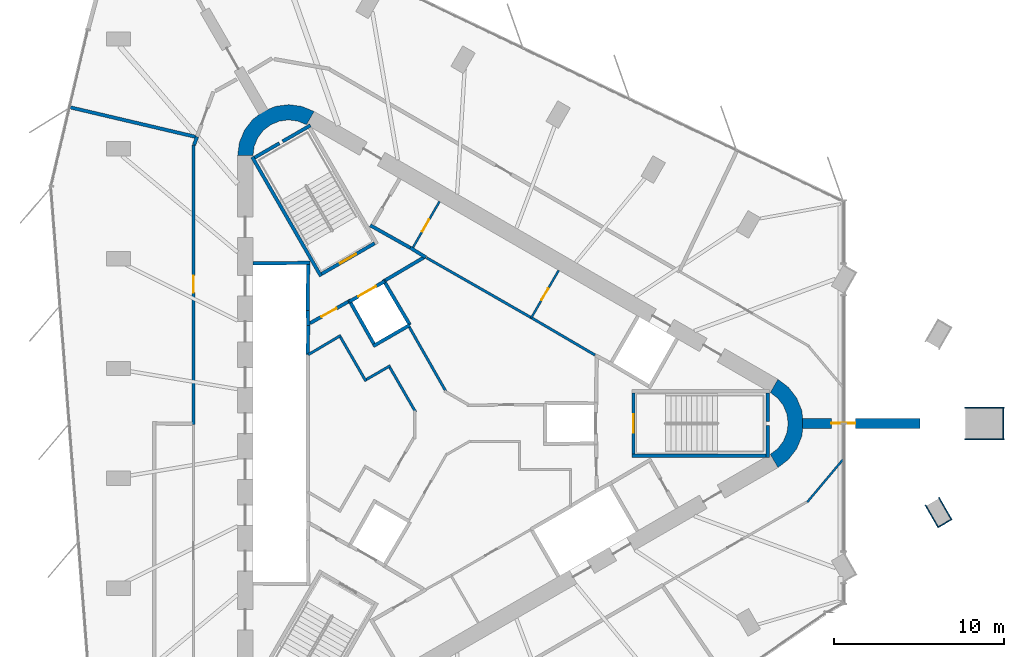
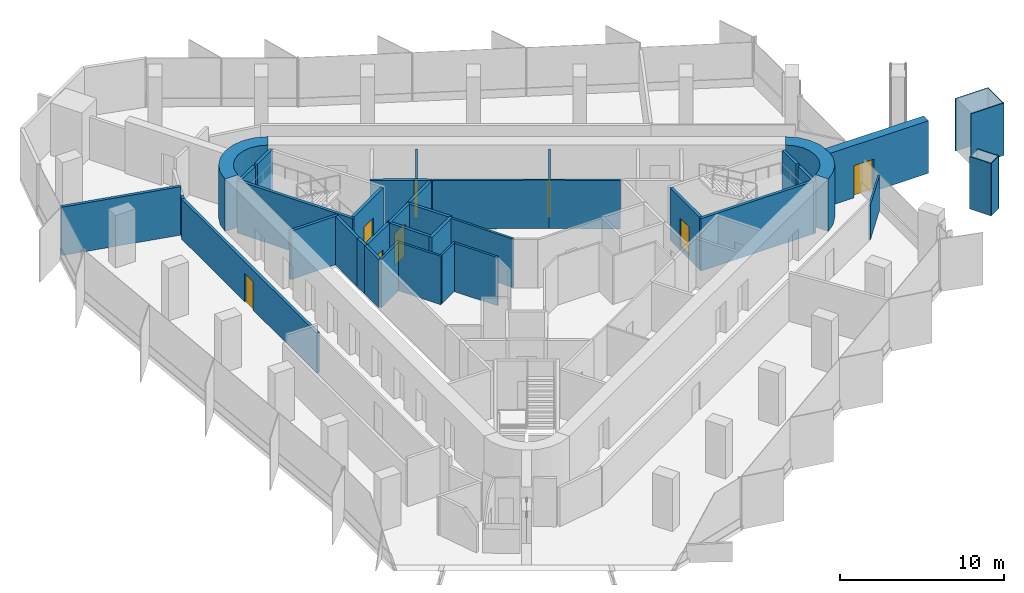
# One storey, part 9 of 12: 42 walls, 8 doors, 8 openings.
"""IFC4 building model written with IfcOpenShell, lengths in metres."""

from ifc_helpers import new_model, si_unit, direction, frame, frame_2d, origin, place, context, subcontext, project, spatial, polyline, rectangle, outline, extrude, material, layer, layer_set, type_object, element, fill, save


model = new_model("IFC4")

# Units and contexts
model_context = context("Model", 3, precision=1e-05, world=origin(), true_north=direction((0.0, 1.0)))
body_context = subcontext(model_context, "Body", "Model", "MODEL_VIEW")
ifc_project = project(units=[si_unit("LENGTHUNIT", "METRE"), si_unit("AREAUNIT", "SQUARE_METRE"), si_unit("VOLUMEUNIT", "CUBIC_METRE"), si_unit("PLANEANGLEUNIT", "RADIAN"), si_unit("MASSUNIT", "GRAM", prefix="KILO")], contexts=[model_context])

# Site, building, storey
site_placement = place(None, origin())
site = spatial("IfcSite", under=ifc_project, at=site_placement, CompositionType="ELEMENT")
building_placement = place(site_placement, origin())
building = spatial("IfcBuilding", under=site, at=building_placement, Name="Tanit Gate Tower", CompositionType="ELEMENT")
storey_placement = place(building_placement, frame((0.0, 0.0, 368.89990234375)))
storey = spatial("IfcBuildingStorey", under=building, at=storey_placement, Name="L84", CompositionType="ELEMENT", Elevation=368.89990234375)

# Wall, opening, door
ifc_material_1 = material(Name="Concrete C40/50", Category="concrete")
ifc_layer_1 = layer(ifc_material_1, 0.60009765625)
ifc_layer_set_1 = layer_set([ifc_layer_1], Name="BUTTRESS FIN 600 C40/50")
wall_type_1 = type_object("IfcWallType", Name="BUTTRESS FIN 600 C40/50", PredefinedType="SHEAR", material=ifc_layer_set_1)
wall_1_placement = place(storey_placement, frame((21.14990234375, 0.0, 0.0), z_axis=(0.0, 0.0, 1.0), x_axis=(1.0, 0.0, 0.0)))
wall_1 = element("IfcWall", 1, at=wall_1_placement, inside=storey, type_object=wall_type_1, Name="BUTTRESS FIN", PredefinedType="SHEAR", context=body_context, shape_type="SweptSolid", body=[
    extrude(rectangle(XDim=6.92138671875, YDim=0.60009765625, at=frame_2d((3.460693359375, 0.0))), origin(), (0.0, 0.0, 1.0), 3.900146484375),
])
opening_1_placement = place(wall_1_placement, frame((1.699951171875, 0.0, 0.0)))
opening_1 = element("IfcOpeningElement", 2, at=opening_1_placement, cuts=wall_1, Name="Opening P14-84-F-E-1", PredefinedType="OPENING", context=body_context, shape_type="SweptSolid", body=[
    extrude(rectangle(XDim=1.39990234375, YDim=2.39990234375, at=frame_2d((0.699951171875, 1.199951171875))), frame((0.0, 0.31005859375, 0.0), z_axis=(0.0, -1.0, 0.0), x_axis=(1.0, 0.0, 0.0)), (0.0, 0.0, 1.0), 0.6201171875),
])
ifc_material_2 = material(Name="Timber door leaf", Category="wood")
door_type_1 = type_object("IfcDoorType", Name="INT-DOOR-FIN-PAIR-1400", OperationType="NOTDEFINED", PredefinedType="NOTDEFINED", material=ifc_material_2)
door_1_placement = place(opening_1_placement, origin())
door_1 = element("IfcDoor", 3, at=door_1_placement, inside=storey, type_object=door_type_1, Name="Door P14-84-F-E-1", OperationType="DOUBLE_DOOR_SINGLE_SWING", OverallHeight=2.39990234375, OverallWidth=1.39990234375, PredefinedType="NOTDEFINED", context=body_context, shape_type="SweptSolid", body=[
    extrude(rectangle(XDim=1.39990234375, YDim=2.39990234375, at=frame_2d((0.699951171875, 1.199951171875))), frame((0.0, 0.02490234375, 0.0), z_axis=(0.0, -1.0, 0.0), x_axis=(1.0, 0.0, 0.0)), (0.0, 0.0, 1.0), 0.050048828125),
])
fill(opening_1, door_1)

# Walls
ifc_material_3 = material(Name="Concrete C40/50", Category="concrete")
ifc_layer_2 = layer(ifc_material_3, 0.89990234375)
ifc_layer_set_2 = layer_set([ifc_layer_2], Name="CORE WALL 900 C40/50")
wall_type_2 = type_object("IfcWallType", Name="CORE WALL 900 C40/50", PredefinedType="SHEAR", material=ifc_layer_set_2)
wall_2_placement = place(storey_placement, origin())
element("IfcWall", 4, at=wall_2_placement, inside=storey, type_object=wall_type_2, Name="CORE WALL CORNER", PredefinedType="SHEAR", context=body_context, shape_type="SweptSolid", body=[
    extrude(outline(polyline([(-7.60009765625, 18.359619140625), (-8.323486328125, 18.659423828125), (-9.10009765625, 18.76171875), (-9.87646484375, 18.659423828125), (-10.60009765625, 18.359619140625), (-11.22119140625, 17.883056640625), (-11.697998046875, 17.26171875), (-11.997802734375, 16.5380859375), (-12.10009765625, 15.76171875), (-11.199951171875, 15.76171875), (-11.12841796875, 16.30517578125), (-10.918701171875, 16.811767578125), (-10.5849609375, 17.24658203125), (-10.14990234375, 17.580322265625), (-9.6435546875, 17.7900390625), (-9.10009765625, 17.86181640625), (-8.556396484375, 17.7900390625), (-8.050048828125, 17.580322265625), (-7.60009765625, 18.359619140625)])), origin(), (0.0, 0.0, 1.0), 3.900146484375),
])
wall_3_placement = place(storey_placement, origin())
element("IfcWall", 5, at=wall_3_placement, inside=storey, type_object=wall_type_2, Name="CORE WALL CORNER", PredefinedType="SHEAR", context=body_context, shape_type="SweptSolid", body=[
    extrude(outline(polyline([(19.699951171875, -2.59814453125), (20.3212890625, -2.121337890625), (20.798095703125, -1.5), (21.097900390625, -0.776611328125), (21.199951171875, 0.0), (21.097900390625, 0.776611328125), (20.798095703125, 1.5), (20.3212890625, 2.121337890625), (19.699951171875, 2.59814453125), (19.25, 1.818603515625), (19.684814453125, 1.48486328125), (20.018798828125, 1.050048828125), (20.228515625, 0.54345703125), (20.300048828125, 0.0), (20.228515625, -0.54345703125), (20.018798828125, -1.050048828125), (19.684814453125, -1.48486328125), (19.25, -1.818603515625), (19.699951171875, -2.59814453125)])), origin(), (0.0, 0.0, 1.0), 3.900146484375),
])
ifc_material_4 = material(Name="Bronze anodised aluminium cladding", Category="aluminium")
ifc_layer_3 = layer(ifc_material_4, 0.06005859375)
ifc_layer_set_3 = layer_set([ifc_layer_3], Name="Column casing bronze 60")
wall_type_3 = type_object("IfcWallType", Name="Column casing bronze 60", PredefinedType="SOLIDWALL", material=ifc_layer_set_3)
for number, where, z_axis, x_axis, name in (
    (6, (30.68359375, 0.929931640625, 0.0), (0.0, 0.0, 1.0), (1.0, 0.0, 0.0), "Column casing L84 M-E.L1"),
    (7, (30.68359375, -0.929931640625, 0.0), (0.0, 0.0, 1.0), (1.0, 0.0, 0.0), "Column casing L84 M-E.L2"),
):
    element("IfcWall", number, at=place(storey_placement, frame(where, z_axis=z_axis, x_axis=x_axis)), inside=storey, type_object=wall_type_3, Name=name, PredefinedType="SOLIDWALL", context=body_context, shape_type="SweptSolid", body=[
        extrude(rectangle(XDim=2.320068359375, YDim=0.06005859375, at=frame_2d((1.16015625, 0.0))), origin(), (0.0, 0.0, 1.0), 3.900146484375),
    ])
wall_4_placement = place(storey_placement, frame((32.9736328125, -0.89990234375, 0.0), z_axis=(0.0, 0.0, 1.0), x_axis=(0.0, 1.0, 0.0)))
element("IfcWall", 8, at=wall_4_placement, inside=storey, type_object=wall_type_3, Name="Column casing L84 M-E.S1", PredefinedType="SOLIDWALL", context=body_context, shape_type="SweptSolid", body=[
    extrude(rectangle(XDim=1.7998046875, YDim=0.06005859375, at=frame_2d((0.89990234375, 0.0))), origin(), (0.0, 0.0, 1.0), 3.900146484375),
])
wall_5_placement = place(storey_placement, frame((29.16650390625, -4.36083984375, 0.0), z_axis=(0.0, 0.0, 1.0), x_axis=(0.499991248344, -0.866030456496, 0.0)))
element("IfcWall", 9, at=wall_5_placement, inside=storey, type_object=wall_type_3, Name="Column casing L84 P-SE8.L1", PredefinedType="SOLIDWALL", context=body_context, shape_type="SweptSolid", body=[
    extrude(rectangle(XDim=1.52001953125, YDim=0.06005859375, at=frame_2d((0.760009765625, 0.0))), origin(), (0.0, 0.0, 1.0), 3.900146484375),
])
wall_6_placement = place(storey_placement, frame((28.378662109375, -4.81591796875, 0.0), z_axis=(0.0, 0.0, 1.0), x_axis=(0.500060803479, -0.865990296034, 0.0)))
element("IfcWall", 10, at=wall_6_placement, inside=storey, type_object=wall_type_3, Name="Column casing L84 P-SE8.L2", PredefinedType="SOLIDWALL", context=body_context, shape_type="SweptSolid", body=[
    extrude(rectangle(XDim=1.519775390625, YDim=0.06005859375, at=frame_2d((0.759765625, 0.0))), origin(), (0.0, 0.0, 1.0), 3.900146484375),
])
wall_7_placement = place(storey_placement, frame((29.1494140625, -6.09130859375, 0.0), z_axis=(0.0, 0.0, 1.0), x_axis=(0.866061263272, 0.499937884402, 0.0)))
element("IfcWall", 11, at=wall_7_placement, inside=storey, type_object=wall_type_3, Name="Column casing L84 P-SE8.S1", PredefinedType="SOLIDWALL", context=body_context, shape_type="SweptSolid", body=[
    extrude(rectangle(XDim=0.85009765625, YDim=0.06005859375, at=frame_2d((0.425048828125, 0.0))), origin(), (0.0, 0.0, 1.0), 3.900146484375),
])
ifc_material_5 = material(Name="Fire-rated gypsum board partition")
ifc_layer_4 = layer(ifc_material_5, 0.199951171875)
ifc_layer_set_4 = layer_set([ifc_layer_4], Name="INT-WALL-COMPARTMENT")
wall_type_4 = type_object("IfcWallType", Name="INT-WALL-COMPARTMENT", PredefinedType="PARTITIONING", material=ifc_layer_set_4)
wall_8_placement = place(storey_placement, frame((-1.940673828125, 10.338623046875, 0.0), z_axis=(0.0, 0.0, 1.0), x_axis=(0.850216889117, -0.526432561171, 0.0)))
element("IfcWall", 12, at=wall_8_placement, inside=storey, type_object=wall_type_4, Name="Wall Compartment W051", PredefinedType="PARTITIONING", context=body_context, shape_type="SweptSolid", body=[
    extrude(rectangle(XDim=1.078369140625, YDim=0.199951171875, at=frame_2d((0.5390625, 0.0))), origin(), (0.0, 0.0, 1.0), 3.60009765625),
])
wall_9_placement = place(storey_placement, frame((-4.296142578125, 11.658935546875, 0.0), z_axis=(0.0, 0.0, 1.0), x_axis=(0.871534483978, -0.490334215854, 0.0)))
element("IfcWall", 13, at=wall_9_placement, inside=storey, type_object=wall_type_4, Name="Wall Compartment W053", PredefinedType="PARTITIONING", context=body_context, shape_type="SweptSolid", body=[
    extrude(rectangle(XDim=2.7001953125, YDim=0.199951171875, at=frame_2d((1.35009765625, 0.0))), origin(), (0.0, 0.0, 1.0), 3.60009765625),
])
wall_10_placement = place(storey_placement, frame((-1.0546875, 9.818359375, 0.0), z_axis=(0.0, 0.0, 1.0), x_axis=(-0.860614334655, -0.50925726994, 0.0)))
element("IfcWall", 14, at=wall_10_placement, inside=storey, type_object=wall_type_4, Name="Wall Compartment W064", PredefinedType="PARTITIONING", context=body_context, shape_type="SweptSolid", body=[
    extrude(rectangle(XDim=2.725830078125, YDim=0.199951171875, at=frame_2d((1.36279296875, 0.0))), origin(), (0.0, 0.0, 1.0), 3.60009765625),
])

# Wall, opening, door
wall_11_placement = place(storey_placement, frame((-5.600341796875, 7.16015625, 0.0), z_axis=(0.0, 0.0, 1.0), x_axis=(-0.871363259478, -0.490638431059, 0.0)))
wall_11 = element("IfcWall", 15, at=wall_11_placement, inside=storey, type_object=wall_type_4, Name="Wall Compartment W065", PredefinedType="PARTITIONING", context=body_context, shape_type="SweptSolid", body=[
    extrude(rectangle(XDim=2.5810546875, YDim=0.199951171875, at=frame_2d((1.29052734375, 0.0))), origin(), (0.0, 0.0, 1.0), 3.60009765625),
])
opening_2_placement = place(wall_11_placement, frame((0.79052734375, 0.0, 0.0)))
opening_2 = element("IfcOpeningElement", 16, at=opening_2_placement, cuts=wall_11, Name="Opening F10-84-05", PredefinedType="OPENING", context=body_context, shape_type="SweptSolid", body=[
    extrude(rectangle(XDim=1.0, YDim=2.10009765625, at=frame_2d((0.5, 1.050048828125))), frame((0.0, 0.10986328125, 0.0), z_axis=(0.0, -1.0, 0.0), x_axis=(1.0, 0.0, 0.0)), (0.0, 0.0, 1.0), 0.219970703125),
])
ifc_material_6 = material(Name="Fire-rated steel door leaf", Category="steel")
door_type_2 = type_object("IfcDoorType", Name="INT-DOOR-FIRE-1000", OperationType="NOTDEFINED", PredefinedType="USERDEFINED", material=ifc_material_6)
door_2_placement = place(opening_2_placement, origin())
door_2 = element("IfcDoor", 17, at=door_2_placement, inside=storey, type_object=door_type_2, Name="Door F10-84-05", ObjectType="FIRE DOOR", OperationType="SINGLE_SWING_RIGHT", OverallHeight=2.10009765625, OverallWidth=1.0, PredefinedType="USERDEFINED", context=body_context, shape_type="SweptSolid", body=[
    extrude(rectangle(XDim=1.0, YDim=2.10009765625, at=frame_2d((0.5, 1.050048828125))), frame((0.0, 0.02490234375, 0.0), z_axis=(0.0, -1.0, 0.0), x_axis=(1.0, 0.0, 0.0)), (0.0, 0.0, 1.0), 0.050048828125),
])
fill(opening_2, door_2)

# Wall
wall_12_placement = place(storey_placement, frame((-14.490966796875, 16.873779296875, 0.0), z_axis=(0.0, 0.0, 1.0), x_axis=(-0.34189641908, -0.939737643505, 0.0)))
element("IfcWall", 18, at=wall_12_placement, inside=storey, type_object=wall_type_4, Name="Wall Compartment W092", PredefinedType="PARTITIONING", context=body_context, shape_type="SweptSolid", body=[
    extrude(rectangle(XDim=0.51123046875, YDim=0.199951171875, at=frame_2d((0.255615234375, 0.0))), origin(), (0.0, 0.0, 1.0), 2.880126953125),
])

# Wall, opening, door
wall_13_placement = place(storey_placement, frame((-14.699951171875, 16.3994140625, 0.0), z_axis=(0.0, 0.0, 1.0), x_axis=(0.0, -1.0, 0.0)))
wall_13 = element("IfcWall", 19, at=wall_13_placement, inside=storey, type_object=wall_type_4, Name="Wall Compartment W091", PredefinedType="PARTITIONING", context=body_context, shape_type="SweptSolid", body=[
    extrude(rectangle(XDim=16.449462890625, YDim=0.199951171875, at=frame_2d((8.224609375, 0.0))), origin(), (0.0, 0.0, 1.0), 2.97021484375),
])
opening_3_placement = place(wall_13_placement, frame((7.699951171875, 0.0, 0.0)))
opening_3 = element("IfcOpeningElement", 20, at=opening_3_placement, cuts=wall_13, Name="Opening F10-84-20", PredefinedType="OPENING", context=body_context, shape_type="SweptSolid", body=[
    extrude(rectangle(XDim=1.0, YDim=2.10009765625, at=frame_2d((0.5, 1.050048828125))), frame((0.0, 0.10986328125, 0.0), z_axis=(0.0, -1.0, 0.0), x_axis=(1.0, 0.0, 0.0)), (0.0, 0.0, 1.0), 0.219970703125),
])
door_3_placement = place(opening_3_placement, origin())
door_3 = element("IfcDoor", 21, at=door_3_placement, inside=storey, type_object=door_type_2, Name="Door F10-84-20", ObjectType="FIRE DOOR", OperationType="SINGLE_SWING_LEFT", OverallHeight=2.10009765625, OverallWidth=1.0, PredefinedType="USERDEFINED", context=body_context, shape_type="SweptSolid", body=[
    extrude(rectangle(XDim=1.0, YDim=2.10009765625, at=frame_2d((0.5, 1.050048828125))), frame((0.0, 0.02490234375, 0.0), z_axis=(0.0, -1.0, 0.0), x_axis=(1.0, 0.0, 0.0)), (0.0, 0.0, 1.0), 0.050048828125),
])
fill(opening_3, door_3)

# Wall
wall_14_placement = place(storey_placement, frame((-14.597900390625, 16.8720703125, 0.0), z_axis=(0.0, 0.0, 1.0), x_axis=(-0.973434035661, 0.228967635742, 0.0)))
element("IfcWall", 22, at=wall_14_placement, inside=storey, type_object=wall_type_4, Name="Wall Compartment W098", PredefinedType="PARTITIONING", context=body_context, shape_type="SweptSolid", body=[
    extrude(rectangle(XDim=7.591796875, YDim=0.199951171875, at=frame_2d((3.7958984375, 0.0))), origin(), (0.0, 0.0, 1.0), 3.60009765625),
])

# Wall, opening, door
ifc_material_7 = material(Name="Gypsum board partition")
ifc_layer_5 = layer(ifc_material_7, 0.1201171875)
ifc_layer_set_5 = layer_set([ifc_layer_5], Name="INT-WALL-PARTITION")
wall_type_5 = type_object("IfcWallType", Name="INT-WALL-PARTITION", PredefinedType="PARTITIONING", material=ifc_layer_set_5)
wall_15_placement = place(storey_placement, frame((5.170166015625, 6.19482421875, 0.0), z_axis=(0.0, 0.0, 1.0), x_axis=(0.499984717929, 0.866034226713, 0.0)))
wall_15 = element("IfcWall", 23, at=wall_15_placement, inside=storey, type_object=wall_type_5, Name="Wall Partition W047", PredefinedType="PARTITIONING", context=body_context, shape_type="SweptSolid", body=[
    extrude(rectangle(XDim=3.25, YDim=0.1201171875, at=frame_2d((1.625, 0.0))), origin(), (0.0, 0.0, 1.0), 3.60009765625),
])
opening_4_placement = place(wall_15_placement, frame((1.22509765625, 0.0, 0.0)))
opening_4 = element("IfcOpeningElement", 24, at=opening_4_placement, cuts=wall_15, Name="Opening R08-84-13", PredefinedType="OPENING", context=body_context, shape_type="SweptSolid", body=[
    extrude(rectangle(XDim=0.800048828125, YDim=2.10009765625, at=frame_2d((0.39990234375, 1.050048828125))), frame((0.0, 0.070068359375, 0.0), z_axis=(0.0, -1.0, 0.0), x_axis=(1.0, 0.0, 0.0)), (0.0, 0.0, 1.0), 0.14013671875),
])
ifc_material_8 = material(Name="Timber door leaf", Category="wood")
door_type_3 = type_object("IfcDoorType", Name="INT-DOOR-RISER-800", OperationType="NOTDEFINED", PredefinedType="USERDEFINED", material=ifc_material_8)
door_4_placement = place(opening_4_placement, origin())
door_4 = element("IfcDoor", 25, at=door_4_placement, inside=storey, type_object=door_type_3, Name="Door R08-84-13", ObjectType="FIRE DOOR", OperationType="SINGLE_SWING_RIGHT", OverallHeight=2.10009765625, OverallWidth=0.800048828125, PredefinedType="USERDEFINED", context=body_context, shape_type="SweptSolid", body=[
    extrude(rectangle(XDim=0.800048828125, YDim=2.10009765625, at=frame_2d((0.39990234375, 1.050048828125))), frame((0.0, 0.02490234375, 0.0), z_axis=(0.0, -1.0, 0.0), x_axis=(1.0, 0.0, 0.0)), (0.0, 0.0, 1.0), 0.050048828125),
])
fill(opening_4, door_4)

wall_16_placement = place(storey_placement, frame((-0.2197265625, 13.0595703125, 0.0), z_axis=(0.0, 0.0, 1.0), x_axis=(-0.499984717929, -0.866034226713, 0.0)))
wall_16 = element("IfcWall", 26, at=wall_16_placement, inside=storey, type_object=wall_type_5, Name="Wall Partition W050", PredefinedType="PARTITIONING", context=body_context, shape_type="SweptSolid", body=[
    extrude(rectangle(XDim=3.25, YDim=0.1201171875, at=frame_2d((1.625, 0.0))), origin(), (0.0, 0.0, 1.0), 3.60009765625),
])
opening_5_placement = place(wall_16_placement, frame((1.22509765625, 0.0, 0.0)))
opening_5 = element("IfcOpeningElement", 27, at=opening_5_placement, cuts=wall_16, Name="Opening R08-84-14", PredefinedType="OPENING", context=body_context, shape_type="SweptSolid", body=[
    extrude(rectangle(XDim=0.800048828125, YDim=2.10009765625, at=frame_2d((0.39990234375, 1.050048828125))), frame((0.0, 0.070068359375, 0.0), z_axis=(0.0, -1.0, 0.0), x_axis=(1.0, 0.0, 0.0)), (0.0, 0.0, 1.0), 0.14013671875),
])
door_5_placement = place(opening_5_placement, origin())
door_5 = element("IfcDoor", 28, at=door_5_placement, inside=storey, type_object=door_type_3, Name="Door R08-84-14", ObjectType="FIRE DOOR", OperationType="SINGLE_SWING_RIGHT", OverallHeight=2.10009765625, OverallWidth=0.800048828125, PredefinedType="USERDEFINED", context=body_context, shape_type="SweptSolid", body=[
    extrude(rectangle(XDim=0.800048828125, YDim=2.10009765625, at=frame_2d((0.39990234375, 1.050048828125))), frame((0.0, 0.02490234375, 0.0), z_axis=(0.0, -1.0, 0.0), x_axis=(1.0, 0.0, 0.0)), (0.0, 0.0, 1.0), 0.050048828125),
])
fill(opening_5, door_5)

# Walls
wall_17_placement = place(storey_placement, frame((21.42724609375, -4.626708984375, 0.0), z_axis=(0.0, 0.0, 1.0), x_axis=(0.64281389261, 0.766022388359, 0.0)))
element("IfcWall", 29, at=wall_17_placement, inside=storey, type_object=wall_type_5, Name="Wall Partition W116", PredefinedType="PARTITIONING", context=body_context, shape_type="SweptSolid", body=[
    extrude(rectangle(XDim=3.255615234375, YDim=0.1201171875, at=frame_2d((1.6279296875, 0.0))), origin(), (0.0, 0.0, 1.0), 2.580078125),
])
ifc_material_9 = material(Name="Fire-rated gypsum board partition")
ifc_layer_6 = layer(ifc_material_9, 0.14990234375)
ifc_layer_set_6 = layer_set([ifc_layer_6], Name="INT-WALL-RISER")
wall_type_6 = type_object("IfcWallType", Name="INT-WALL-RISER", PredefinedType="PLUMBINGWALL", material=ifc_layer_set_6)
wall_18_placement = place(storey_placement, frame((8.9306640625, 4.024658203125, 0.0), z_axis=(0.0, 0.0, 1.0), x_axis=(-0.862666884027, 0.505772525157, 0.0)))
element("IfcWall", 30, at=wall_18_placement, inside=storey, type_object=wall_type_6, Name="Wall Riser W049", PredefinedType="PLUMBINGWALL", context=body_context, shape_type="SweptSolid", body=[
    extrude(rectangle(XDim=4.371826171875, YDim=0.14990234375, at=frame_2d((2.18603515625, 0.0))), origin(), (0.0, 0.0, 1.0), 3.60009765625),
])
wall_19_placement = place(storey_placement, frame((5.1591796875, 6.23583984375, 0.0), z_axis=(0.0, 0.0, 1.0), x_axis=(-0.868105023632, 0.496380567654, 0.0)))
element("IfcWall", 31, at=wall_19_placement, inside=storey, type_object=wall_type_6, Name="Wall Riser W052", PredefinedType="PLUMBINGWALL", context=body_context, shape_type="SweptSolid", body=[
    extrude(rectangle(XDim=7.072265625, YDim=0.14990234375, at=frame_2d((3.5361328125, 0.0))), origin(), (0.0, 0.0, 1.0), 3.60009765625),
])
wall_20_placement = place(storey_placement, frame((-1.994140625, 5.661376953125, 0.0), z_axis=(0.0, 0.0, 1.0), x_axis=(0.494341211302, -0.869267948798, 0.0)))
element("IfcWall", 32, at=wall_20_placement, inside=storey, type_object=wall_type_6, Name="Wall Riser W070", PredefinedType="PLUMBINGWALL", context=body_context, shape_type="SweptSolid", body=[
    extrude(rectangle(XDim=4.36083984375, YDim=0.14990234375, at=frame_2d((2.180419921875, 0.0))), origin(), (0.0, 0.0, 1.0), 3.60009765625),
])
wall_21_placement = place(storey_placement, frame((-6.023681640625, 5.183349609375, 0.0), z_axis=(0.0, 0.0, 1.0), x_axis=(-0.860126804455, -0.510080268447, 0.0)))
element("IfcWall", 33, at=wall_21_placement, inside=storey, type_object=wall_type_6, Name="Wall Riser W077", PredefinedType="PLUMBINGWALL", context=body_context, shape_type="SweptSolid", body=[
    extrude(rectangle(XDim=2.239501953125, YDim=0.14990234375, at=frame_2d((1.11962890625, 0.0))), origin(), (0.0, 0.0, 1.0), 3.60009765625),
])
wall_22_placement = place(storey_placement, frame((-4.55078125, 2.482177734375, 0.0), z_axis=(0.0, 0.0, 1.0), x_axis=(-0.499990139034, 0.866031096941, 0.0)))
element("IfcWall", 34, at=wall_22_placement, inside=storey, type_object=wall_type_6, Name="Wall Riser W078", PredefinedType="PLUMBINGWALL", context=body_context, shape_type="SweptSolid", body=[
    extrude(rectangle(XDim=3.0, YDim=0.14990234375, at=frame_2d((1.5, 0.0))), origin(), (0.0, 0.0, 1.0), 3.60009765625),
])
wall_23_placement = place(storey_placement, frame((-3.115966796875, 3.397216796875, 0.0), z_axis=(0.0, 0.0, 1.0), x_axis=(-0.866053003207, -0.499952193351, 0.0)))
element("IfcWall", 35, at=wall_23_placement, inside=storey, type_object=wall_type_6, Name="Wall Riser W079", PredefinedType="PLUMBINGWALL", context=body_context, shape_type="SweptSolid", body=[
    extrude(rectangle(XDim=1.625244140625, YDim=0.14990234375, at=frame_2d((0.8125, 0.0))), origin(), (0.0, 0.0, 1.0), 3.60009765625),
])
wall_24_placement = place(storey_placement, frame((-1.623779296875, 0.66259765625, 0.0), z_axis=(0.0, 0.0, 1.0), x_axis=(-0.500035348339, 0.866004994449, 0.0)))
element("IfcWall", 36, at=wall_24_placement, inside=storey, type_object=wall_type_6, Name="Wall Riser W080", PredefinedType="PLUMBINGWALL", context=body_context, shape_type="SweptSolid", body=[
    extrude(rectangle(XDim=3.039306640625, YDim=0.14990234375, at=frame_2d((1.51953125, 0.0))), origin(), (0.0, 0.0, 1.0), 3.60009765625),
])
ifc_material_10 = material(Name="Gypsum shaft wall system")
ifc_layer_7 = layer(ifc_material_10, 0.199951171875)
ifc_layer_set_7 = layer_set([ifc_layer_7], Name="INT-WALL-SHAFT")
wall_type_7 = type_object("IfcWallType", Name="INT-WALL-SHAFT", PredefinedType="PLUMBINGWALL", material=ifc_layer_set_7)
wall_25_placement = place(storey_placement, frame((-11.199951171875, 9.419921875, 0.0), z_axis=(0.0, 0.0, 1.0), x_axis=(0.999957167047, 0.009255488683, 0.0)))
element("IfcWall", 37, at=wall_25_placement, inside=storey, type_object=wall_type_7, Name="Wall Shaft W001", PredefinedType="PLUMBINGWALL", context=body_context, shape_type="SweptSolid", body=[
    extrude(rectangle(XDim=3.35009765625, YDim=0.199951171875, at=frame_2d((1.675048828125, 0.0))), origin(), (0.0, 0.0, 1.0), 3.60009765625),
])
wall_26_placement = place(storey_placement, frame((-7.951171875, 9.35009765625, 0.0), z_axis=(0.0, 0.0, 1.0), x_axis=(-0.011120469654, -0.999938165666, 0.0)))
element("IfcWall", 38, at=wall_26_placement, inside=storey, type_object=wall_type_7, Name="Wall Shaft W002", PredefinedType="PLUMBINGWALL", context=body_context, shape_type="SweptSolid", body=[
    extrude(rectangle(XDim=2.700439453125, YDim=0.199951171875, at=frame_2d((1.35009765625, 0.0))), origin(), (0.0, 0.0, 1.0), 3.60009765625),
])
wall_27_placement = place(storey_placement, frame((-7.97705078125, 6.650146484375, 0.0), z_axis=(0.0, 0.0, 1.0), x_axis=(0.030861509705, -0.999523670164, 0.0)))
element("IfcWall", 39, at=wall_27_placement, inside=storey, type_object=wall_type_7, Name="Wall Shaft W003", PredefinedType="PLUMBINGWALL", context=body_context, shape_type="SweptSolid", body=[
    extrude(rectangle(XDim=0.878173828125, YDim=0.199951171875, at=frame_2d((0.43896484375, 0.0))), origin(), (0.0, 0.0, 1.0), 3.60009765625),
])
wall_28_placement = place(storey_placement, frame((-7.94921875, 5.894775390625, 0.0), z_axis=(0.0, 0.0, 1.0), x_axis=(-0.012042535896, -0.999927486035, 0.0)))
element("IfcWall", 40, at=wall_28_placement, inside=storey, type_object=wall_type_7, Name="Wall Shaft W004", PredefinedType="PLUMBINGWALL", context=body_context, shape_type="SweptSolid", body=[
    extrude(rectangle(XDim=1.844970703125, YDim=0.199951171875, at=frame_2d((0.92236328125, 0.0))), origin(), (0.0, 0.0, 1.0), 3.60009765625),
])

# Wall, opening, door
wall_29_placement = place(storey_placement, frame((-5.524169921875, 7.168212890625, 0.0), z_axis=(0.0, 0.0, 1.0), x_axis=(0.866024647952, 0.500001309137, 0.0)))
wall_29 = element("IfcWall", 41, at=wall_29_placement, inside=storey, type_object=wall_type_7, Name="Wall Shaft W034", PredefinedType="PLUMBINGWALL", context=body_context, shape_type="SweptSolid", body=[
    extrude(rectangle(XDim=2.39990234375, YDim=0.199951171875, at=frame_2d((1.199951171875, 0.0))), origin(), (0.0, 0.0, 1.0), 3.60009765625),
])
opening_6_placement = place(wall_29_placement, frame((0.60009765625, 0.0, 0.0)))
opening_6 = element("IfcOpeningElement", 42, at=opening_6_placement, cuts=wall_29, Name="Opening LDFL2-L84", PredefinedType="OPENING", context=body_context, shape_type="SweptSolid", body=[
    extrude(rectangle(XDim=1.199951171875, YDim=2.39990234375, at=frame_2d((0.60009765625, 1.199951171875))), frame((0.0, 0.10986328125, 0.0), z_axis=(0.0, -1.0, 0.0), x_axis=(1.0, 0.0, 0.0)), (0.0, 0.0, 1.0), 0.219970703125),
])
ifc_material_11 = material(Name="Stainless steel sliding door leaf", Category="steel")
door_type_4 = type_object("IfcDoorType", Name="INT-DOOR-LANDING-1200", OperationType="NOTDEFINED", PredefinedType="USERDEFINED", material=ifc_material_11)
door_6_placement = place(opening_6_placement, origin())
door_6 = element("IfcDoor", 43, at=door_6_placement, inside=storey, type_object=door_type_4, Name="Door LDFL2-L84", ObjectType="LANDING DOOR", OperationType="SLIDING_TO_LEFT", OverallHeight=2.39990234375, OverallWidth=1.199951171875, PredefinedType="USERDEFINED", context=body_context, shape_type="SweptSolid", body=[
    extrude(rectangle(XDim=1.199951171875, YDim=2.39990234375, at=frame_2d((0.60009765625, 1.199951171875))), frame((0.0, 0.02490234375, 0.0), z_axis=(0.0, -1.0, 0.0), x_axis=(1.0, 0.0, 0.0)), (0.0, 0.0, 1.0), 0.050048828125),
])
fill(opening_6, door_6)

# Walls
wall_30_placement = place(storey_placement, frame((-3.53759765625, 8.46533203125, 0.0), z_axis=(0.0, 0.0, 1.0), x_axis=(0.508647062354, -0.860975125052, 0.0)))
element("IfcWall", 44, at=wall_30_placement, inside=storey, type_object=wall_type_7, Name="Wall Shaft W035", PredefinedType="PLUMBINGWALL", context=body_context, shape_type="SweptSolid", body=[
    extrude(rectangle(XDim=3.10009765625, YDim=0.199951171875, at=frame_2d((1.550048828125, 0.0))), origin(), (0.0, 0.0, 1.0), 3.60009765625),
])
wall_31_placement = place(storey_placement, frame((-1.978515625, 5.785888671875, 0.0), z_axis=(0.0, 0.0, 1.0), x_axis=(-0.866016689309, -0.500015093611, 0.0)))
element("IfcWall", 45, at=wall_31_placement, inside=storey, type_object=wall_type_7, Name="Wall Shaft W036", PredefinedType="PLUMBINGWALL", context=body_context, shape_type="SweptSolid", body=[
    extrude(rectangle(XDim=2.4794921875, YDim=0.199951171875, at=frame_2d((1.23974609375, 0.0))), origin(), (0.0, 0.0, 1.0), 3.60009765625),
])
wall_32_placement = place(storey_placement, frame((-5.5625, 7.29638671875, 0.0), z_axis=(0.0, 0.0, 1.0), x_axis=(0.49134651263, -0.870964180966, 0.0)))
element("IfcWall", 46, at=wall_32_placement, inside=storey, type_object=wall_type_7, Name="Wall Shaft W037", PredefinedType="PLUMBINGWALL", context=body_context, shape_type="SweptSolid", body=[
    extrude(rectangle(XDim=3.000244140625, YDim=0.199951171875, at=frame_2d((1.5, 0.0))), origin(), (0.0, 0.0, 1.0), 3.60009765625),
])
ifc_material_12 = material(Name="Concrete C40/50", Category="concrete")
ifc_layer_8 = layer(ifc_material_12, 0.199951171875)
ifc_layer_set_8 = layer_set([ifc_layer_8], Name="INT-WALL-STAIR")
wall_type_8 = type_object("IfcWallType", Name="INT-WALL-STAIR", PredefinedType="SHEAR", material=ifc_layer_set_8)
wall_33_placement = place(storey_placement, frame((19.10009765625, -2.0, -0.2998046875), z_axis=(0.0, 0.0, 1.0), x_axis=(0.0, 1.0, 0.0)))
element("IfcWall", 47, at=wall_33_placement, inside=storey, type_object=wall_type_8, Name="Wall Stair W022", PredefinedType="SHEAR", context=body_context, shape_type="SweptSolid", body=[
    extrude(rectangle(XDim=1.889892578125, YDim=0.199951171875, at=frame_2d((0.94482421875, 0.0))), origin(), (0.0, 0.0, 1.0), 3.89990234375),
])
wall_34_placement = place(storey_placement, frame((19.10009765625, 0.110107421875, -0.2998046875), z_axis=(0.0, 0.0, 1.0), x_axis=(0.0, 1.0, 0.0)))
element("IfcWall", 48, at=wall_34_placement, inside=storey, type_object=wall_type_8, Name="Wall Stair W021", PredefinedType="SHEAR", context=body_context, shape_type="SweptSolid", body=[
    extrude(rectangle(XDim=1.68994140625, YDim=0.199951171875, at=frame_2d((0.844970703125, 0.0))), origin(), (0.0, 0.0, 1.0), 3.89990234375),
])
wall_35_placement = place(storey_placement, frame((11.10009765625, -1.89990234375, -0.2998046875), z_axis=(0.0, 0.0, 1.0), x_axis=(1.0, 0.0, 0.0)))
element("IfcWall", 49, at=wall_35_placement, inside=storey, type_object=wall_type_8, Name="Wall Stair W023", PredefinedType="SHEAR", context=body_context, shape_type="SweptSolid", body=[
    extrude(rectangle(XDim=7.89990234375, YDim=0.199951171875, at=frame_2d((3.949951171875, 0.0))), origin(), (0.0, 0.0, 1.0), 3.89990234375),
])

# Wall, opening, door
wall_36_placement = place(storey_placement, frame((11.199951171875, -1.800048828125, -0.2998046875), z_axis=(0.0, 0.0, 1.0), x_axis=(0.0, 1.0, 0.0)))
wall_36 = element("IfcWall", 50, at=wall_36_placement, inside=storey, type_object=wall_type_8, Name="Wall Stair W024", PredefinedType="SHEAR", context=body_context, shape_type="SweptSolid", body=[
    extrude(rectangle(XDim=3.60009765625, YDim=0.199951171875, at=frame_2d((1.800048828125, 0.0))), origin(), (0.0, 0.0, 1.0), 3.89990234375),
])
opening_7_placement = place(wall_36_placement, frame((1.25, 0.0, 0.300048828125)))
opening_7 = element("IfcOpeningElement", 51, at=opening_7_placement, cuts=wall_36, Name="Opening S11-84-01", PredefinedType="OPENING", context=body_context, shape_type="SweptSolid", body=[
    extrude(rectangle(XDim=1.10009765625, YDim=2.10009765625, at=frame_2d((0.550048828125, 1.050048828125))), frame((0.0, 0.10986328125, 0.0), z_axis=(0.0, -1.0, 0.0), x_axis=(1.0, 0.0, 0.0)), (0.0, 0.0, 1.0), 0.219970703125),
])
ifc_material_13 = material(Name="Timber door leaf", Category="wood")
door_type_5 = type_object("IfcDoorType", Name="INT-DOOR-STAIR-1100", OperationType="NOTDEFINED", PredefinedType="USERDEFINED", material=ifc_material_13)
door_7_placement = place(opening_7_placement, origin())
door_7 = element("IfcDoor", 52, at=door_7_placement, inside=storey, type_object=door_type_5, Name="Door S11-84-01", ObjectType="FIRE DOOR", OperationType="SINGLE_SWING_RIGHT", OverallHeight=2.10009765625, OverallWidth=1.10009765625, PredefinedType="USERDEFINED", context=body_context, shape_type="SweptSolid", body=[
    extrude(rectangle(XDim=1.10009765625, YDim=2.10009765625, at=frame_2d((0.550048828125, 1.050048828125))), frame((0.0, 0.02490234375, 0.0), z_axis=(0.0, -1.0, 0.0), x_axis=(1.0, 0.0, 0.0)), (0.0, 0.0, 1.0), 0.050048828125),
])
fill(opening_7, door_7)

# Walls
wall_37_placement = place(storey_placement, frame((-11.245361328125, 15.677734375, -0.2998046875), z_axis=(0.0, 0.0, 1.0), x_axis=(0.499977274689, -0.866038523851, 0.0)))
element("IfcWall", 53, at=wall_37_placement, inside=storey, type_object=wall_type_8, Name="Wall Stair W029", PredefinedType="SHEAR", context=body_context, shape_type="SweptSolid", body=[
    extrude(rectangle(XDim=8.10009765625, YDim=0.199951171875, at=frame_2d((4.050048828125, 0.0))), origin(), (0.0, 0.0, 1.0), 3.89990234375),
])
wall_38_placement = place(storey_placement, frame((-7.81787109375, 17.541015625, -0.2998046875), z_axis=(0.0, 0.0, 1.0), x_axis=(-0.866088799389, -0.499890179513, 0.0)))
element("IfcWall", 54, at=wall_38_placement, inside=storey, type_object=wall_type_8, Name="Wall Stair W031", PredefinedType="SHEAR", context=body_context, shape_type="SweptSolid", body=[
    extrude(rectangle(XDim=1.89013671875, YDim=0.199951171875, at=frame_2d((0.945068359375, 0.0))), origin(), (0.0, 0.0, 1.0), 3.89990234375),
])
wall_39_placement = place(storey_placement, frame((-9.645263671875, 16.486083984375, -0.2998046875), z_axis=(0.0, 0.0, 1.0), x_axis=(-0.866038843867, -0.499976720371, 0.0)))
element("IfcWall", 55, at=wall_39_placement, inside=storey, type_object=wall_type_8, Name="Wall Stair W030", PredefinedType="SHEAR", context=body_context, shape_type="SweptSolid", body=[
    extrude(rectangle(XDim=1.68994140625, YDim=0.199951171875, at=frame_2d((0.844970703125, 0.0))), origin(), (0.0, 0.0, 1.0), 3.89990234375),
])

# Wall, opening, door
wall_40_placement = place(storey_placement, frame((-7.158935546875, 8.799560546875, -0.2998046875), z_axis=(0.0, 0.0, 1.0), x_axis=(0.866047807691, 0.499961193289, 0.0)))
wall_40 = element("IfcWall", 56, at=wall_40_placement, inside=storey, type_object=wall_type_8, Name="Wall Stair W033", PredefinedType="SHEAR", context=body_context, shape_type="SweptSolid", body=[
    extrude(rectangle(XDim=3.599853515625, YDim=0.199951171875, at=frame_2d((1.7998046875, 0.0))), origin(), (0.0, 0.0, 1.0), 3.89990234375),
])
opening_8_placement = place(wall_40_placement, frame((1.25, 0.0, 0.300048828125)))
opening_8 = element("IfcOpeningElement", 57, at=opening_8_placement, cuts=wall_40, Name="Opening S11-84-04", PredefinedType="OPENING", context=body_context, shape_type="SweptSolid", body=[
    extrude(rectangle(XDim=1.10009765625, YDim=2.10009765625, at=frame_2d((0.550048828125, 1.050048828125))), frame((0.0, 0.10986328125, 0.0), z_axis=(0.0, -1.0, 0.0), x_axis=(1.0, 0.0, 0.0)), (0.0, 0.0, 1.0), 0.219970703125),
])
door_8_placement = place(opening_8_placement, origin())
door_8 = element("IfcDoor", 58, at=door_8_placement, inside=storey, type_object=door_type_5, Name="Door S11-84-04", ObjectType="FIRE DOOR", OperationType="SINGLE_SWING_RIGHT", OverallHeight=2.10009765625, OverallWidth=1.10009765625, PredefinedType="USERDEFINED", context=body_context, shape_type="SweptSolid", body=[
    extrude(rectangle(XDim=1.10009765625, YDim=2.10009765625, at=frame_2d((0.550048828125, 1.050048828125))), frame((0.0, 0.02490234375, 0.0), z_axis=(0.0, -1.0, 0.0), x_axis=(1.0, 0.0, 0.0)), (0.0, 0.0, 1.0), 0.050048828125),
])
fill(opening_8, door_8)

save(model, "model.ifc")
